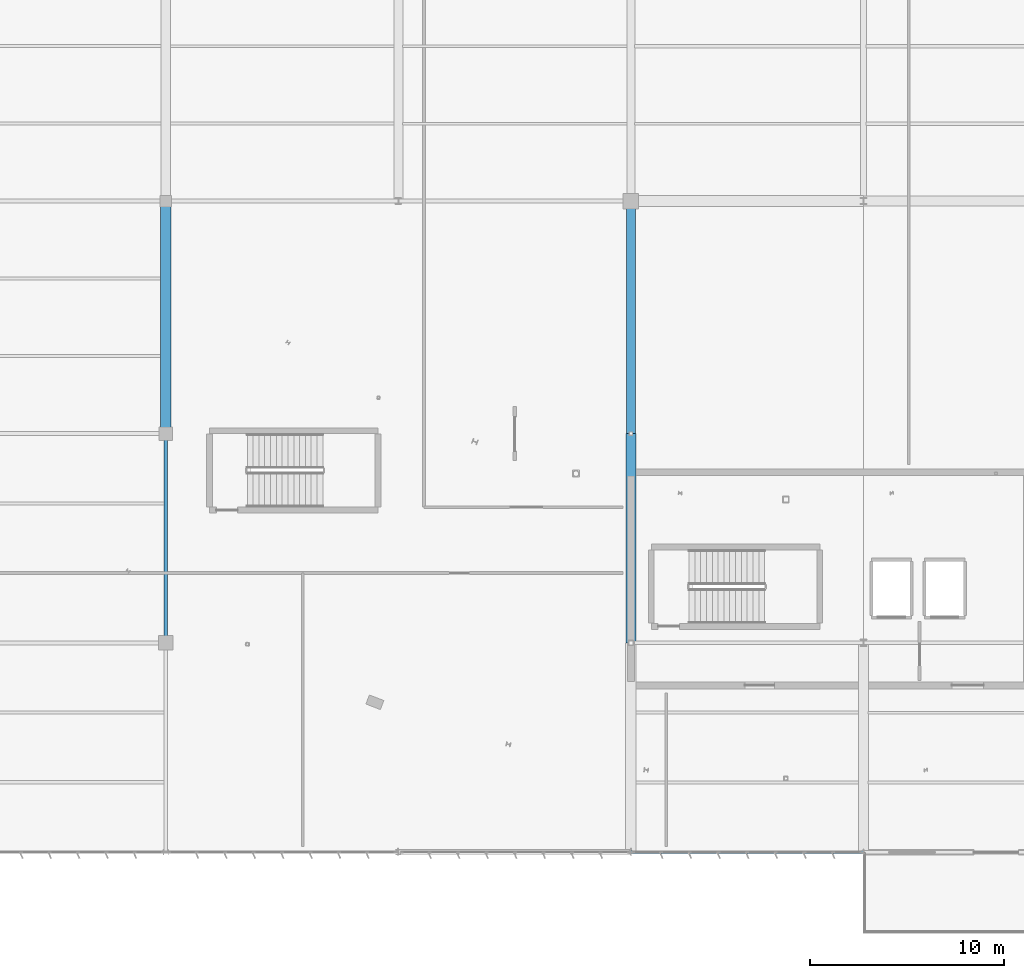
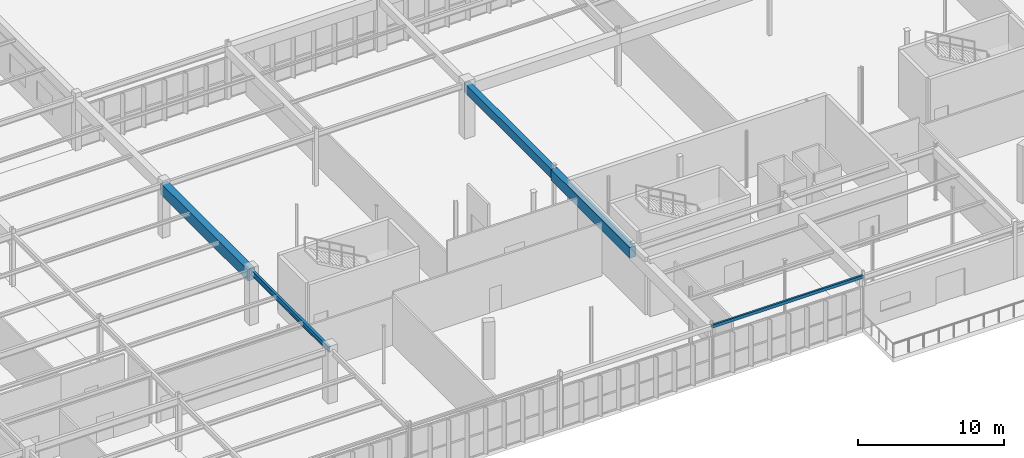
# One storey, part 73 of 199: 5 beams.
"""IFC4 building model written with IfcOpenShell, lengths in metres."""

from ifc_helpers import new_model, si_unit, direction, frame, origin, origin_2d, place, context, subcontext, project, spatial, rectangle, hollow_rectangle, i_section, extrude, material, material_profile, profile_set, type_object, element, save


model = new_model("IFC4")

# Units and contexts
model_context = context("Model", 3, precision=1e-05, world=origin(), true_north=direction((0.0, 1.0)))
body_context = subcontext(model_context, "Body", "Model", "MODEL_VIEW")
ifc_project = project(units=[si_unit("LENGTHUNIT", "METRE"), si_unit("AREAUNIT", "SQUARE_METRE"), si_unit("VOLUMEUNIT", "CUBIC_METRE"), si_unit("PLANEANGLEUNIT", "RADIAN"), si_unit("MASSUNIT", "GRAM", prefix="KILO")], contexts=[model_context])

# Site, building, storey
site_placement = place(None, origin())
site = spatial("IfcSite", under=ifc_project, at=site_placement, CompositionType="ELEMENT")
building_placement = place(site_placement, origin())
building = spatial("IfcBuilding", under=site, at=building_placement, Name="Tarnwether General Hospital", CompositionType="ELEMENT")
storey_placement = place(building_placement, origin())
storey = spatial("IfcBuildingStorey", under=building, at=storey_placement, Name="L00", CompositionType="ELEMENT", Elevation=0.0)

# Beams
ifc_material_1 = material(Name="Steel Grade 350 (350 MPa)", Category="steel")
ifc_material_profile_1 = material_profile(ifc_material_1, i_section(OverallWidth=0.18994140625, OverallDepth=0.4541015625, WebThickness=0.008544921875, FlangeThickness=0.0126953125, at=origin_2d()), Name="460UB67.1")
ifc_profile_set_1 = profile_set([ifc_material_profile_1], Name="Steel Grade 350 (350 MPa)")
beam_type_1 = type_object("IfcBeamType", Name="BM-G10", PredefinedType="BEAM", material=ifc_profile_set_1)
beam_1_placement = place(storey_placement, frame((60.0, 10.800048828125, 4.218017578125), z_axis=(0.0, 1.0, 0.0), x_axis=(-1.0, 0.0, 0.0)))
element("IfcBeam", 1, at=beam_1_placement, inside=storey, type_object=beam_type_1, Name="Primary Girder BMG-L00-6000_1080-6000_2160-0694", PredefinedType="BEAM", context=body_context, shape_type="SweptSolid", body=[
    extrude(i_section(OverallWidth=0.18994140625, OverallDepth=0.4541015625, WebThickness=0.008544921875, FlangeThickness=0.0126953125, at=origin_2d()), origin(), (0.0, 0.0, 1.0), 10.800048828125),
])
ifc_material_2 = material(Name="Concrete 40 MPa", Category="concrete")
ifc_material_profile_2 = material_profile(ifc_material_2, rectangle(XDim=0.550048828125, YDim=0.949951171875, at=origin_2d()), Name="RC-BM-550x950")
ifc_profile_set_2 = profile_set([ifc_material_profile_2], Name="Concrete 40 MPa")
beam_type_2 = type_object("IfcBeamType", Name="BM-G11", PredefinedType="BEAM", material=ifc_profile_set_2)
beam_2_placement = place(storey_placement, frame((60.0, 21.60009765625, 3.969970703125), z_axis=(0.0, 1.0, 0.0), x_axis=(-1.0, 0.0, 0.0)))
element("IfcBeam", 2, at=beam_2_placement, inside=storey, type_object=beam_type_2, Name="Primary Girder BMG-L00-6000_2160-6000_3360-0695", PredefinedType="BEAM", context=body_context, shape_type="SweptSolid", body=[
    extrude(rectangle(XDim=0.550048828125, YDim=0.949951171875, at=origin_2d()), origin(), (0.0, 0.0, 1.0), 12.0),
])
ifc_material_3 = material(Name="Concrete 40 MPa", Category="concrete")
ifc_material_profile_3 = material_profile(ifc_material_3, rectangle(XDim=0.5, YDim=0.89990234375, at=origin_2d()), Name="RC-BM-500x900")
ifc_profile_set_3 = profile_set([ifc_material_profile_3], Name="Concrete 40 MPa")
beam_type_3 = type_object("IfcBeamType", Name="BM-G12", PredefinedType="BEAM", material=ifc_profile_set_3)
beam_3_placement = place(storey_placement, frame((84.0, 10.800048828125, 3.9951171875), z_axis=(0.0, 1.0, 0.0), x_axis=(-1.0, 0.0, 0.0)))
element("IfcBeam", 3, at=beam_3_placement, inside=storey, type_object=beam_type_3, Name="Primary Girder BMG-L00-8400_1080-8400_2160-0720", PredefinedType="BEAM", context=body_context, shape_type="SweptSolid", body=[
    extrude(rectangle(XDim=0.5, YDim=0.89990234375, at=origin_2d()), origin(), (0.0, 0.0, 1.0), 10.800048828125),
])
ifc_material_4 = material(Name="Concrete 40 MPa", Category="concrete")
ifc_material_profile_4 = material_profile(ifc_material_4, rectangle(XDim=0.449951171875, YDim=0.75, at=origin_2d()), Name="RC-BM-450x750")
ifc_profile_set_4 = profile_set([ifc_material_profile_4], Name="Concrete 40 MPa")
beam_type_4 = type_object("IfcBeamType", Name="BM-G13", PredefinedType="BEAM", material=ifc_profile_set_4)
beam_4_placement = place(storey_placement, frame((84.0, 21.60009765625, 4.070068359375), z_axis=(0.0, 1.0, 0.0), x_axis=(-1.0, 0.0, 0.0)))
element("IfcBeam", 4, at=beam_4_placement, inside=storey, type_object=beam_type_4, Name="Primary Girder BMG-L00-8400_2160-8400_3360-0721", PredefinedType="BEAM", context=body_context, shape_type="SweptSolid", body=[
    extrude(rectangle(XDim=0.449951171875, YDim=0.75, at=origin_2d()), origin(), (0.0, 0.0, 1.0), 12.0),
])
ifc_material_5 = material(Name="Steel Grade C350L0 (350 MPa)", Category="steel")
ifc_material_profile_5 = material_profile(ifc_material_5, hollow_rectangle(XDim=0.14990234375, YDim=0.25, WallThickness=0.008056640625, at=origin_2d()), Name="RHS250x150x8")
ifc_profile_set_5 = profile_set([ifc_material_profile_5], Name="Steel Grade C350L0 (350 MPa)")
beam_type_5 = type_object("IfcBeamType", Name="BM-SP8", PredefinedType="SPANDREL", material=ifc_profile_set_5)
beam_5_placement = place(storey_placement, frame((84.0, 0.0, 4.320068359375), z_axis=(1.0, 0.0, 0.0), x_axis=(0.0, 1.0, 0.0)))
element("IfcBeam", 5, at=beam_5_placement, inside=storey, type_object=beam_type_5, Name="Primary Girder BMG-L00-8400_0-9600_0-0717", PredefinedType="SPANDREL", context=body_context, shape_type="SweptSolid", body=[
    extrude(hollow_rectangle(XDim=0.14990234375, YDim=0.25, WallThickness=0.008056640625, at=origin_2d()), origin(), (0.0, 0.0, 1.0), 12.0),
])

save(model, "model.ifc")
